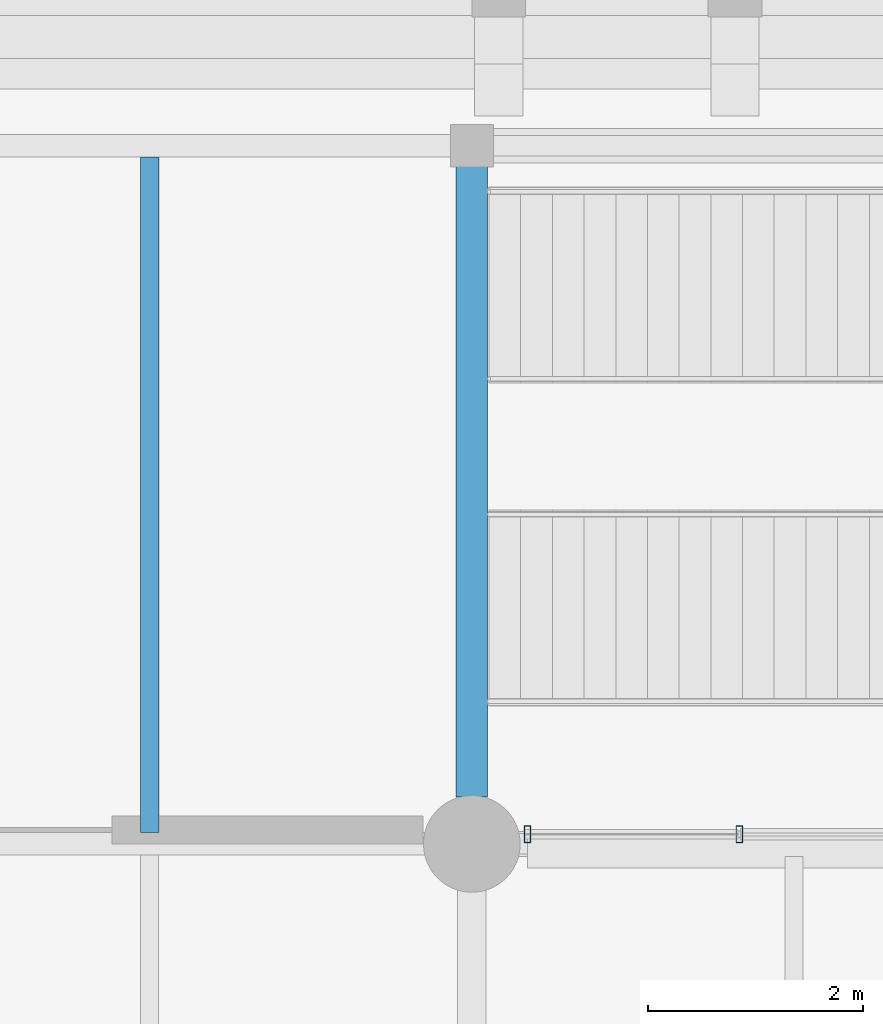
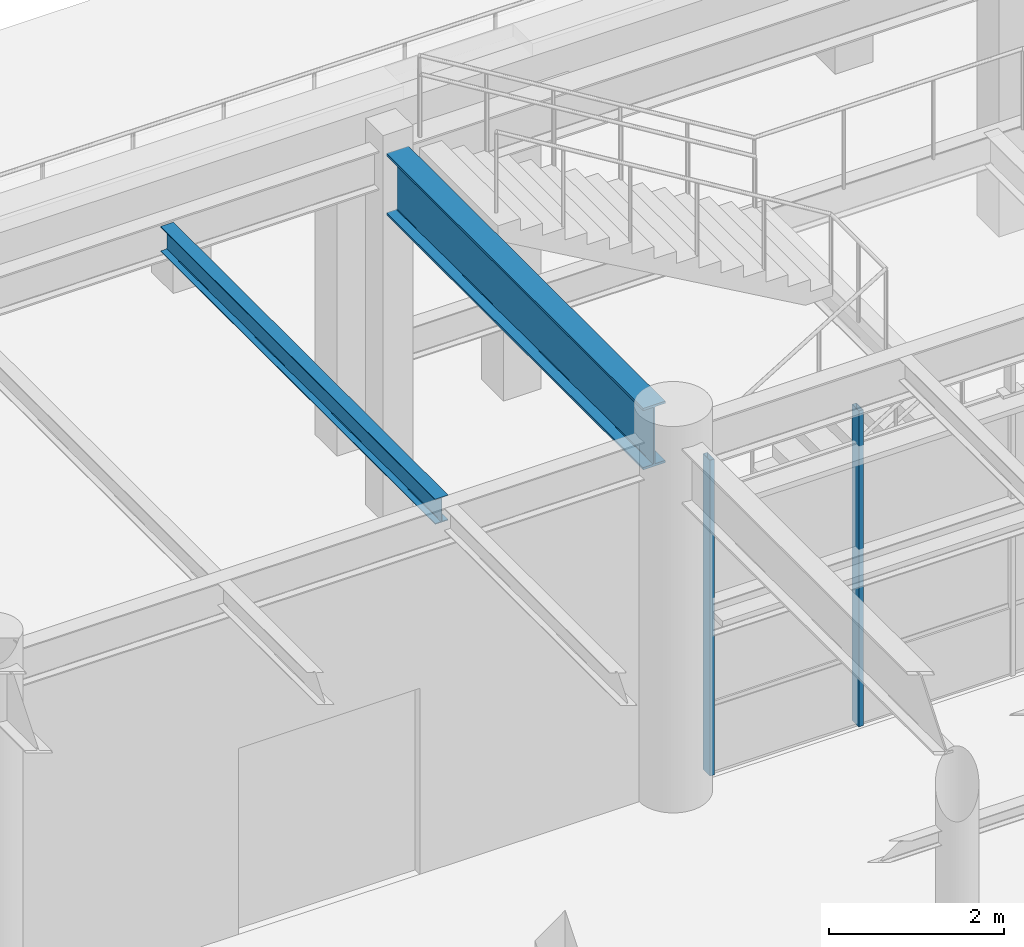
# One storey, part 53 of 203: 2 beams, 2 members, 1 element without a shape of its own.
"""IFC4 building model written with IfcOpenShell, lengths in metres."""

from ifc_helpers import new_model, si_unit, direction, frame, origin, origin_2d, place, context, subcontext, project, spatial, hollow_rectangle, i_section, extrude, material, material_profile, profile_set, type_object, element, aggregate, save


model = new_model("IFC4")

# Units and contexts
model_context = context("Model", 3, precision=1e-05, world=origin(), true_north=direction((0.0, 1.0)))
body_context = subcontext(model_context, "Body", "Model", "MODEL_VIEW")
ifc_project = project(units=[si_unit("LENGTHUNIT", "METRE"), si_unit("AREAUNIT", "SQUARE_METRE"), si_unit("VOLUMEUNIT", "CUBIC_METRE"), si_unit("PLANEANGLEUNIT", "RADIAN"), si_unit("MASSUNIT", "GRAM", prefix="KILO"), si_unit("THERMODYNAMICTEMPERATUREUNIT", "KELVIN"), si_unit("POWERUNIT", "WATT")], contexts=[model_context])

# Site, building, storey
site_placement = place(None, origin())
site = spatial("IfcSite", under=ifc_project, at=site_placement, CompositionType="ELEMENT")
building_placement = place(site_placement, origin())
building = spatial("IfcBuilding", under=site, at=building_placement, Name="Tepalcoro Natatorium and Aquatics Centre", CompositionType="ELEMENT")
storey_placement = place(building_placement, origin())
storey = spatial("IfcBuildingStorey", under=building, at=storey_placement, Name="L00", CompositionType="ELEMENT", Elevation=0.0)

# Beam
ifc_material_1 = material(Name="Steel ASTM A992 Grade 50 (Fy 345 MPa)", Category="steel")
ifc_material_profile_1 = material_profile(ifc_material_1, i_section(OverallWidth=0.2919921875, OverallDepth=0.85888671875, WebThickness=0.01708984375, FlangeThickness=0.031005859375, FilletRadius=0.013916015625, at=origin_2d()), Name="W33X169")
ifc_profile_set_1 = profile_set([ifc_material_profile_1], Name="Steel ASTM A992 Grade 50 (Fy 345 MPa)")
beam_type_1 = type_object("IfcBeamType", Name="BM_W33x169", PredefinedType="BEAM", material=ifc_profile_set_1)
beam_1_placement = place(storey_placement, frame((98.0, 6.93505859375, 4.695556640625), z_axis=(0.0, 1.0, 0.0), x_axis=(-1.0, 0.0, 0.0)))
element("IfcBeam", 1, at=beam_1_placement, inside=storey, type_object=beam_type_1, Name="V1 L00 Grid Girder Y", PredefinedType="BEAM", context=body_context, shape_type="SweptSolid", body=[
    extrude(i_section(OverallWidth=0.2919921875, OverallDepth=0.85888671875, WebThickness=0.01708984375, FlangeThickness=0.031005859375, FilletRadius=0.013916015625, at=origin_2d()), origin(), (0.0, 0.0, 1.0), 5.8798828125),
])

# Curtain wall, members
ifc_material_2 = material(Name="Bronze-Anodised Extruded Aluminium Alloy EN AW-6063 T6", Category="aluminium")
curtain_wall_type = type_object("IfcCurtainWallType", Name="CW_LEAN_T1_EW", PredefinedType="USERDEFINED", material=ifc_material_2)
curtain_wall_placement = place(storey_placement, origin())
curtain_wall = element("IfcCurtainWall", 2, at=curtain_wall_placement, inside=storey, type_object=curtain_wall_type, Name="V1 L00 S Unitised Curtain Wall Bay 7", ObjectType="FACETED SOLAR GLAZING", PredefinedType="USERDEFINED")
ifc_material_profile_2 = material_profile(ifc_material_2, hollow_rectangle(XDim=0.06005859375, YDim=0.159912109375, WallThickness=0.00390625, at=origin_2d()), Name="AL60X160X4")
ifc_profile_set_2 = profile_set([ifc_material_profile_2], Name="Bronze-Anodised Extruded Aluminium Alloy EN AW-6063 T6")
member_type = type_object("IfcMemberType", Name="CW_MUL_60x160", PredefinedType="MULLION", material=ifc_profile_set_2)
member_1_placement = place(storey_placement, frame((98.52001953125, 6.590087890625, 0.02001953125), z_axis=(0.0, 0.0, 1.0), x_axis=(1.0, 0.0, 0.0)))
member_1 = element("IfcMember", 3, at=member_1_placement, type_object=member_type, Name="CW_LEAN_T1_EW Curtain Wall Mullion", PredefinedType="MULLION", context=body_context, shape_type="SweptSolid", body=[
    extrude(hollow_rectangle(XDim=0.06005859375, YDim=0.159912109375, WallThickness=0.00390625, at=origin_2d()), origin(), (0.0, 0.0, 1.0), 4.4130859375),
])
member_2_placement = place(storey_placement, frame((100.489990234375, 6.590087890625, 0.02001953125), z_axis=(0.0, 0.0, 1.0), x_axis=(1.0, 0.0, 0.0)))
member_2 = element("IfcMember", 4, at=member_2_placement, type_object=member_type, Name="CW_LEAN_T1_EW Curtain Wall Mullion", PredefinedType="MULLION", context=body_context, shape_type="SweptSolid", body=[
    extrude(hollow_rectangle(XDim=0.06005859375, YDim=0.159912109375, WallThickness=0.00390625, at=origin_2d()), origin(), (0.0, 0.0, 1.0), 4.4130859375),
])
aggregate(curtain_wall, [member_1, member_2])

# Beam
ifc_material_profile_3 = material_profile(ifc_material_1, i_section(OverallWidth=0.1708984375, OverallDepth=0.35107421875, WebThickness=0.007080078125, FlangeThickness=0.010009765625, FilletRadius=0.013916015625, at=origin_2d()), Name="W14X30")
ifc_profile_set_3 = profile_set([ifc_material_profile_3], Name="Steel ASTM A992 Grade 50 (Fy 345 MPa)")
beam_type_2 = type_object("IfcBeamType", Name="JS_W14x30", PredefinedType="JOIST", material=ifc_profile_set_3)
beam_2_placement = place(storey_placement, frame((95.0, 6.60498046875, 4.909423828125), z_axis=(0.0, 1.0, 0.0), x_axis=(-1.0, 0.0, 0.0)))
element("IfcBeam", 5, at=beam_2_placement, inside=storey, type_object=beam_type_2, Name="V1 L00 Floor Joist", PredefinedType="JOIST", context=body_context, shape_type="SweptSolid", body=[
    extrude(i_section(OverallWidth=0.1708984375, OverallDepth=0.35107421875, WebThickness=0.007080078125, FlangeThickness=0.010009765625, FilletRadius=0.013916015625, at=origin_2d()), origin(), (0.0, 0.0, 1.0), 6.2890625),
])

save(model, "model.ifc")
